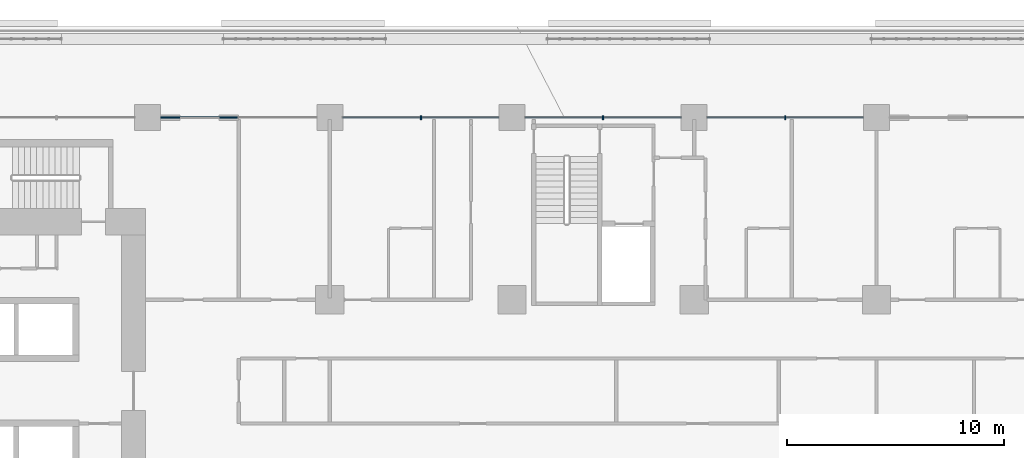
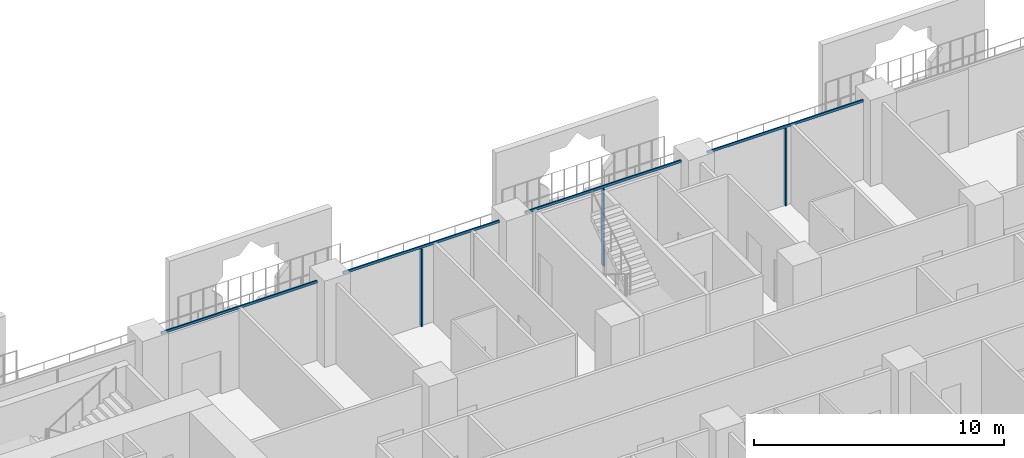
# One storey, part 9 of 29: 7 members, 1 element without a shape of its own.
"""IFC4 building model written with IfcOpenShell, lengths in metres."""

from ifc_helpers import new_model, si_unit, direction, frame, origin, origin_2d, place, context, subcontext, project, spatial, rectangle, extrude, material, layer, layer_set, material_profile, profile_set, type_object, element, aggregate, save


model = new_model("IFC4")

# Units and contexts
model_context = context("Model", 3, precision=1e-05, world=origin(), true_north=direction((0.0, 1.0)))
body_context = subcontext(model_context, "Body", "Model", "MODEL_VIEW")
ifc_project = project(units=[si_unit("LENGTHUNIT", "METRE"), si_unit("AREAUNIT", "SQUARE_METRE"), si_unit("VOLUMEUNIT", "CUBIC_METRE"), si_unit("PLANEANGLEUNIT", "RADIAN"), si_unit("MASSUNIT", "GRAM", prefix="KILO")], contexts=[model_context])

# Site, building, storey
site_placement = place(None, origin())
site = spatial("IfcSite", under=ifc_project, at=site_placement, CompositionType="ELEMENT")
building_placement = place(site_placement, origin())
building = spatial("IfcBuilding", under=site, at=building_placement, Name="Kawkab Arch Medical Tower", CompositionType="ELEMENT")
storey_placement = place(building_placement, frame((0.0, 0.0, 64.39990234375)))
storey = spatial("IfcBuildingStorey", under=building, at=storey_placement, Name="L14", CompositionType="ELEMENT", Elevation=64.39990234375)

# Curtain wall, members
ifc_material_1 = material(Name="Bronze anodised aluminium curtain wall frame", Category="aluminium")
ifc_layer = layer(ifc_material_1, 0.159912109375)
ifc_layer_set = layer_set([ifc_layer], Name="Bronze anodised aluminium curtain wall frame")
curtain_wall_type = type_object("IfcCurtainWallType", Name="CW1 ward curtain wall", PredefinedType="NOTDEFINED", material=ifc_layer_set)
curtain_wall_placement = place(storey_placement, origin())
curtain_wall = element("IfcCurtainWall", 1, at=curtain_wall_placement, inside=storey, type_object=curtain_wall_type, Name="CW1 Ward curtain wall R11", PredefinedType="NOTDEFINED")
ifc_material_2 = material(Name="Bronze anodised aluminium curtain wall frame", Category="aluminium")
ifc_material_profile_1 = material_profile(ifc_material_2, rectangle(XDim=0.179931640625, YDim=0.06005859375, at=origin_2d()), Name="AL 60x180")
ifc_profile_set_1 = profile_set([ifc_material_profile_1], Name="Bronze anodised aluminium curtain wall frame")
member_type_1 = type_object("IfcMemberType", Name="CW1 mullion 60 x 180", PredefinedType="MULLION", material=ifc_profile_set_1)
member_1_placement = place(storey_placement, frame((54.60009765625, 0.0, 0.0), z_axis=(0.0, 0.0, 1.0), x_axis=(0.0, -1.0, 0.0)))
member_1 = element("IfcMember", 2, at=member_1_placement, type_object=member_type_1, Name="CW1 mullion 3.1", PredefinedType="MULLION", context=body_context, shape_type="SweptSolid", body=[
    extrude(rectangle(XDim=0.179931640625, YDim=0.06005859375, at=origin_2d()), origin(), (0.0, 0.0, 1.0), 3.780029296875),
])
member_2_placement = place(storey_placement, frame((46.199951171875, 0.0, 0.0), z_axis=(0.0, 0.0, 1.0), x_axis=(0.0, -1.0, 0.0)))
member_2 = element("IfcMember", 3, at=member_2_placement, type_object=member_type_1, Name="CW1 mullion 4.1", PredefinedType="MULLION", context=body_context, shape_type="SweptSolid", body=[
    extrude(rectangle(XDim=0.179931640625, YDim=0.06005859375, at=origin_2d()), origin(), (0.0, 0.0, 1.0), 3.780029296875),
])
member_3_placement = place(storey_placement, frame((37.800048828125, 0.0, 0.0), z_axis=(0.0, 0.0, 1.0), x_axis=(0.0, -1.0, 0.0)))
member_3 = element("IfcMember", 4, at=member_3_placement, type_object=member_type_1, Name="CW1 mullion 5.1", PredefinedType="MULLION", context=body_context, shape_type="SweptSolid", body=[
    extrude(rectangle(XDim=0.179931640625, YDim=0.06005859375, at=origin_2d()), origin(), (0.0, 0.0, 1.0), 3.780029296875),
])
ifc_material_3 = material(Name="Bronze anodised aluminium curtain wall frame", Category="aluminium")
ifc_material_profile_2 = material_profile(ifc_material_3, rectangle(XDim=0.06005859375, YDim=0.1201171875, at=origin_2d()), Name="AL 60x120")
ifc_profile_set_2 = profile_set([ifc_material_profile_2], Name="Bronze anodised aluminium curtain wall frame")
member_type_2 = type_object("IfcMemberType", Name="CW1 transom 120 x 60", PredefinedType="USERDEFINED", material=ifc_profile_set_2)
member_4_placement = place(storey_placement, frame((58.199951171875, 0.0, 3.840087890625), z_axis=(-1.0, 0.0, 0.0), x_axis=(0.0, -1.0, 0.0)))
member_4 = element("IfcMember", 5, at=member_4_placement, type_object=member_type_2, Name="CW1 transom 3", ObjectType="TRANSOM", PredefinedType="USERDEFINED", context=body_context, shape_type="SweptSolid", body=[
    extrude(rectangle(XDim=0.06005859375, YDim=0.1201171875, at=origin_2d()), origin(), (0.0, 0.0, 1.0), 7.199951171875),
])
member_5_placement = place(storey_placement, frame((49.800048828125, 0.0, 3.840087890625), z_axis=(-1.0, 0.0, 0.0), x_axis=(0.0, -1.0, 0.0)))
member_5 = element("IfcMember", 6, at=member_5_placement, type_object=member_type_2, Name="CW1 transom 4", ObjectType="TRANSOM", PredefinedType="USERDEFINED", context=body_context, shape_type="SweptSolid", body=[
    extrude(rectangle(XDim=0.06005859375, YDim=0.1201171875, at=origin_2d()), origin(), (0.0, 0.0, 1.0), 7.199951171875),
])
member_6_placement = place(storey_placement, frame((41.39990234375, 0.0, 3.840087890625), z_axis=(-1.0, 0.0, 0.0), x_axis=(0.0, -1.0, 0.0)))
member_6 = element("IfcMember", 7, at=member_6_placement, type_object=member_type_2, Name="CW1 transom 5", ObjectType="TRANSOM", PredefinedType="USERDEFINED", context=body_context, shape_type="SweptSolid", body=[
    extrude(rectangle(XDim=0.06005859375, YDim=0.1201171875, at=origin_2d()), origin(), (0.0, 0.0, 1.0), 7.199951171875),
])
member_7_placement = place(storey_placement, frame((33.0, 0.0, 3.840087890625), z_axis=(-1.0, 0.0, 0.0), x_axis=(0.0, -1.0, 0.0)))
member_7 = element("IfcMember", 8, at=member_7_placement, type_object=member_type_2, Name="CW1 transom 6", ObjectType="TRANSOM", PredefinedType="USERDEFINED", context=body_context, shape_type="SweptSolid", body=[
    extrude(rectangle(XDim=0.06005859375, YDim=0.1201171875, at=origin_2d()), origin(), (0.0, 0.0, 1.0), 7.199951171875),
])
aggregate(curtain_wall, [member_4, member_1, member_5, member_2, member_6, member_3, member_7])

save(model, "model.ifc")
